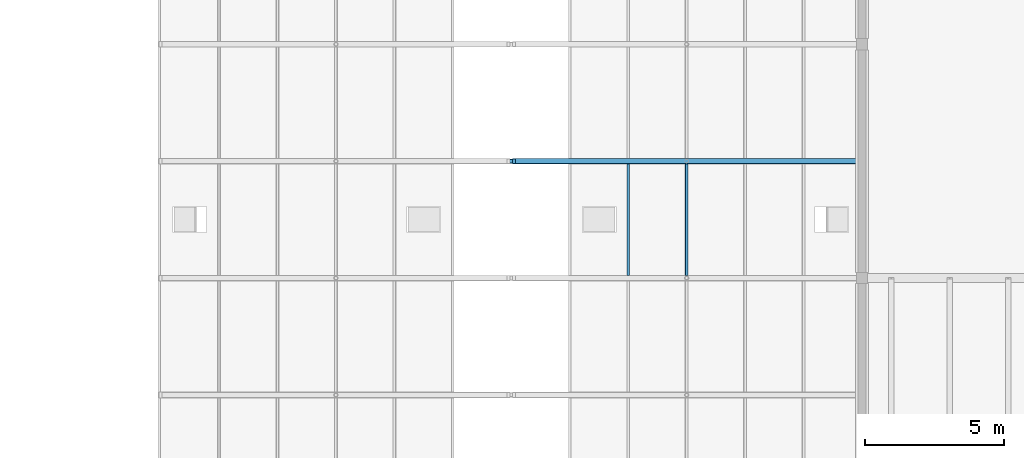
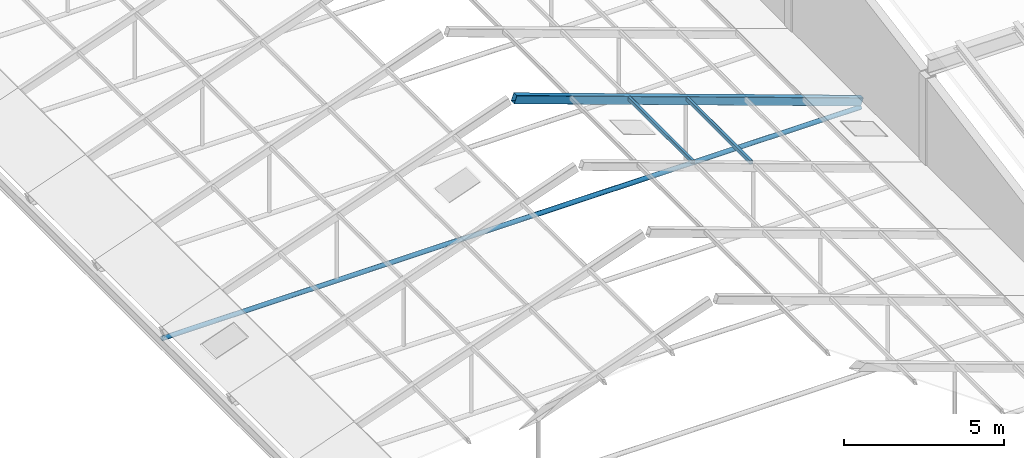
# One storey, part 46 of 116: 4 members.
"""IFC4 building model written with IfcOpenShell, lengths in metres."""

from ifc_helpers import new_model, si_unit, direction, frame, origin, origin_2d, place, context, subcontext, project, spatial, hollow_rectangle, hollow_circle, extrude, material, material_profile, profile_set, type_object, element, save


model = new_model("IFC4")

# Units and contexts
model_context = context("Model", 3, precision=1e-05, world=origin(), true_north=direction((0.0, 1.0)))
body_context = subcontext(model_context, "Body", "Model", "MODEL_VIEW")
ifc_project = project(units=[si_unit("LENGTHUNIT", "METRE"), si_unit("AREAUNIT", "SQUARE_METRE"), si_unit("VOLUMEUNIT", "CUBIC_METRE"), si_unit("PLANEANGLEUNIT", "RADIAN"), si_unit("MASSUNIT", "GRAM", prefix="KILO")], contexts=[model_context])

# Site, building, storey
site_placement = place(None, origin())
site = spatial("IfcSite", under=ifc_project, at=site_placement, CompositionType="ELEMENT")
building_placement = place(site_placement, origin())
building = spatial("IfcBuilding", under=site, at=building_placement, Name="Fescue Hill Polytechnic", CompositionType="ELEMENT")
storey_placement = place(building_placement, frame((0.0, 0.0, 13.5)))
storey = spatial("IfcBuildingStorey", under=building, at=storey_placement, Name="L03", CompositionType="ELEMENT", Elevation=13.5)

# Members
ifc_material = material(Name="Steel 350W (350 MPa)", Category="steel")
ifc_material_profile_1 = material_profile(ifc_material, hollow_rectangle(XDim=0.1015625, YDim=0.15234375, WallThickness=0.00634765625, InnerFilletRadius=0.00634765625, OuterFilletRadius=0.0126953125, at=origin_2d()), Name="Winter garden glazing purlin HSS 152x102x6.4")
ifc_profile_set_1 = profile_set([ifc_material_profile_1], Name="Steel 350W (350 MPa)")
member_type_1 = type_object("IfcMemberType", Name="Winter garden glazing purlin HSS 152x102x6.4", PredefinedType="PURLIN", material=ifc_profile_set_1)
for number, where, z_axis, x_axis, name in (
    (1, (111.30029296875, 67.301513671875, 2.914306640625), (0.0, 1.0, 0.0), (-1.0, 0.0, 0.0), "Winter garden glazing purlin E3 bay 5"),
    (2, (109.200439453125, 67.301513671875, 3.664306640625), (0.0, 1.0, 0.0), (-1.0, 0.0, 0.0), "Winter garden glazing purlin E4 bay 5"),
):
    element("IfcMember", number, at=place(storey_placement, frame(where, z_axis=z_axis, x_axis=x_axis)), inside=storey, type_object=member_type_1, Name=name, PredefinedType="PURLIN", context=body_context, shape_type="SweptSolid", body=[
        extrude(hollow_rectangle(XDim=0.1015625, YDim=0.15234375, WallThickness=0.00634765625, InnerFilletRadius=0.00634765625, OuterFilletRadius=0.0126953125, at=origin_2d()), origin(), (0.0, 0.0, 1.0), 3.996826171875),
    ])
ifc_material_profile_2 = material_profile(ifc_material, hollow_rectangle(XDim=0.203125, YDim=0.3046875, WallThickness=0.009521484375, InnerFilletRadius=0.009521484375, OuterFilletRadius=0.01904296875, at=origin_2d()), Name="Winter garden rafter HSS 305x203x9.5")
ifc_profile_set_2 = profile_set([ifc_material_profile_2], Name="Steel 350W (350 MPa)")
member_type_2 = type_object("IfcMemberType", Name="Winter garden rafter HSS 305x203x9.5", PredefinedType="RAFTER", material=ifc_profile_set_2)
member_1_placement = place(storey_placement, frame((117.60009765625, 71.39990234375, 0.578857421875), z_axis=(-0.941740247025, 0.0, 0.336341057756), x_axis=(0.0, -1.0, 0.0)))
element("IfcMember", 3, at=member_1_placement, inside=storey, type_object=member_type_2, Name="Winter garden rafter E6", PredefinedType="RAFTER", context=body_context, shape_type="SweptSolid", body=[
    extrude(hollow_rectangle(XDim=0.203125, YDim=0.3046875, WallThickness=0.009521484375, InnerFilletRadius=0.009521484375, OuterFilletRadius=0.01904296875, at=origin_2d()), origin(), (0.0, 0.0, 1.0), 13.273193359375),
])
ifc_material_profile_3 = material_profile(ifc_material, hollow_circle(Radius=0.084228515625, WallThickness=0.009521484375, at=origin_2d()), Name="Winter garden tie CHS 168x9.5")
ifc_profile_set_3 = profile_set([ifc_material_profile_3], Name="Steel 350W (350 MPa)")
member_type_3 = type_object("IfcMemberType", Name="Winter garden tie CHS 168x9.5", PredefinedType="STRUT", material=ifc_profile_set_3)
member_2_placement = place(storey_placement, frame((92.39990234375, 71.39990234375, 0.332763671875), z_axis=(1.0, 0.0, 0.0), x_axis=(0.0, 1.0, 0.0)))
element("IfcMember", 4, at=member_2_placement, inside=storey, type_object=member_type_3, Name="Winter garden tie 6", PredefinedType="STRUT", context=body_context, shape_type="SweptSolid", body=[
    extrude(hollow_circle(Radius=0.084228515625, WallThickness=0.009521484375, at=origin_2d()), origin(), (0.0, 0.0, 1.0), 25.2001953125),
])

save(model, "model.ifc")
